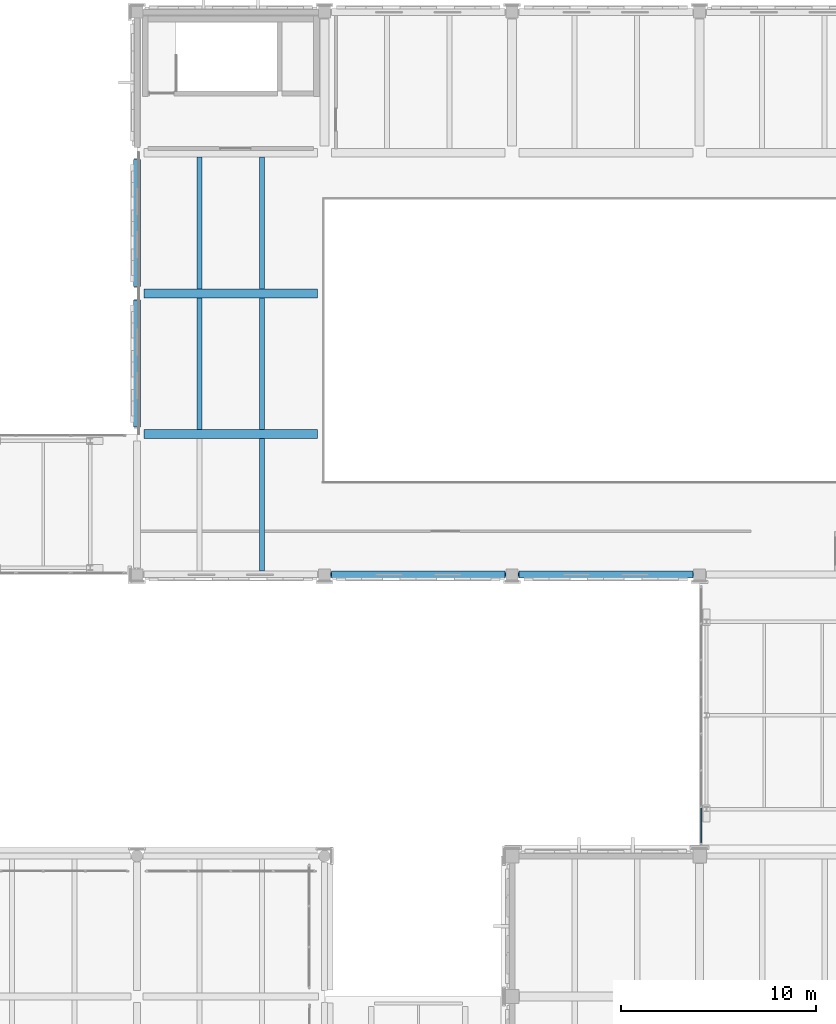
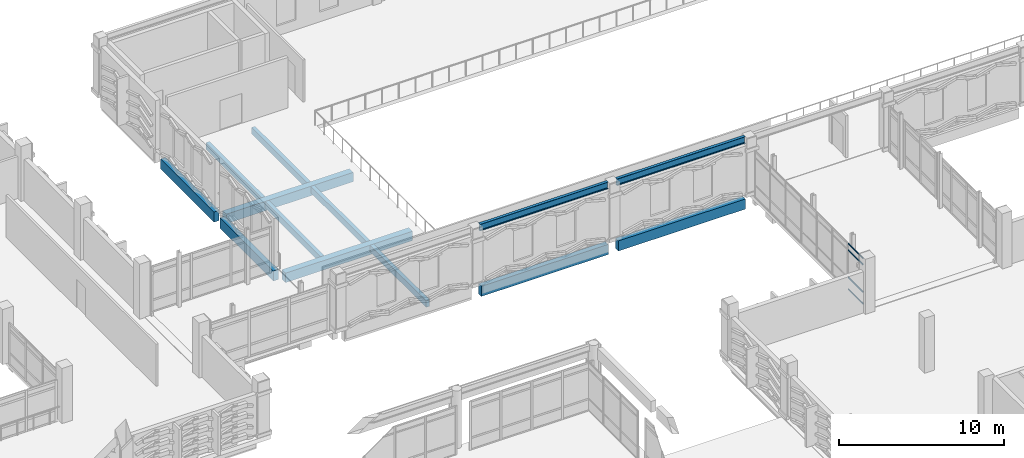
# One storey, part 110 of 180: 13 beams, 4 members, 1 element without a shape of its own.
"""IFC4 building model written with IfcOpenShell, lengths in metres."""

import ifcopenshell
import ifcopenshell.guid

model = None  # the IFC model being written
_history = None  # IfcOwnerHistory: only IFC2X3 demands one
_inside = {}  # id of a spatial element -> (the spatial element, [elements in it])
_under = {}  # id of a project, library or spatial element -> (it, [spatial elements below it])
_declared = {}  # id of a project -> (the project, [libraries it declares])
_typed = {}  # id of a type object -> (the type object, [elements of that type])
_made_of = {}  # id of a material, layer set ... -> (it, [elements and type objects made of it])


def new_model(schema):
    """Start an empty IFC model of exactly this schema.

    Asked for "IFC4X3", IfcOpenShell would pick the latest addendum, in which some entities
    have other attributes; the version numbers below select the first issue.
    IFC2X3 requires an IfcOwnerHistory on every rooted entity: one is made here for all.
    """
    global model, _history
    if schema == "IFC4X3":
        model = ifcopenshell.file(schema_version=(4, 3, 0, 0))
    else:
        model = ifcopenshell.file(schema=schema)
    _inside.clear()
    _under.clear()
    _declared.clear()
    _typed.clear()
    _made_of.clear()
    _history = None
    if model.schema == "IFC2X3":
        org = make("IfcOrganization", Name="unknown")
        user = make(
            "IfcPersonAndOrganization",
            ThePerson=make("IfcPerson", FamilyName="unknown"),
            TheOrganization=org,
        )
        app = make(
            "IfcApplication",
            ApplicationDeveloper=org,
            Version="unknown",
            ApplicationFullName="unknown",
            ApplicationIdentifier="unknown",
        )
        _history = make(
            "IfcOwnerHistory",
            OwningUser=user,
            OwningApplication=app,
            ChangeAction="ADDED",
            CreationDate=0,
        )
    return model


def make(cls, **values):
    """One entity of the class cls with the attributes given. An attribute that is None is left unset."""
    return model.create_entity(
        cls, **{name: value for name, value in values.items() if value is not None}
    )


def rooted(cls, **values):
    """An entity with a GlobalId (a new one), such as an element, a storey or a relation."""
    return make(cls, GlobalId=ifcopenshell.guid.new(), OwnerHistory=_history, **values)


def si_unit(unit_type, name, prefix=None):
    """IfcSIUnit, for example si_unit("LENGTHUNIT", "METRE", prefix="MILLI")."""
    return make("IfcSIUnit", UnitType=unit_type, Prefix=prefix, Name=name)


def assignment(units):
    """IfcUnitAssignment: the units of a project."""
    return None if units is None else make("IfcUnitAssignment", Units=units)


def point(xyz):
    """IfcCartesianPoint."""
    return None if xyz is None else make("IfcCartesianPoint", Coordinates=xyz)


def direction(xyz):
    """IfcDirection."""
    return None if xyz is None else make("IfcDirection", DirectionRatios=xyz)


def frame(location, z_axis=None, x_axis=None):
    """IfcAxis2Placement3D, a coordinate frame: its origin and axes. An axis left out is left unset."""
    return make(
        "IfcAxis2Placement3D",
        Location=point(location),
        Axis=direction(z_axis),
        RefDirection=direction(x_axis),
    )


def frame_2d(location, x_axis=None):
    """IfcAxis2Placement2D, a coordinate frame in the plane: its origin and x axis."""
    return make(
        "IfcAxis2Placement2D", Location=point(location), RefDirection=direction(x_axis)
    )


def origin():
    """The frame at (0, 0, 0) with its axes left unset."""
    return frame((0.0, 0.0, 0.0))


def origin_2d():
    """The frame at (0, 0) in the plane with its x axis left unset."""
    return frame_2d((0.0, 0.0))


def place(relative_to, where):
    """IfcLocalPlacement: puts the frame where relative to a parent placement (None: the world)."""
    return make(
        "IfcLocalPlacement", PlacementRelTo=relative_to, RelativePlacement=where
    )


def context(
    kind, dimensions, precision=None, world=None, true_north=None, identifier=None
):
    """IfcGeometricRepresentationContext, for example the 3D "Model" context."""
    return make(
        "IfcGeometricRepresentationContext",
        ContextIdentifier=identifier,
        ContextType=kind,
        CoordinateSpaceDimension=dimensions,
        Precision=precision,
        WorldCoordinateSystem=world,
        TrueNorth=true_north,
    )


def subcontext(parent, identifier, kind, view, scale=None):
    """IfcGeometricRepresentationSubContext, for example "Body" below "Model"."""
    return make(
        "IfcGeometricRepresentationSubContext",
        ContextIdentifier=identifier,
        ContextType=kind,
        ParentContext=parent,
        TargetScale=scale,
        TargetView=view,
    )


def project(units=None, contexts=None):
    """IfcProject with its units and contexts."""
    return rooted(
        "IfcProject",
        Name="project",
        RepresentationContexts=contexts,
        UnitsInContext=assignment(units),
    )


def spatial(cls, under=None, at=None, **own):
    """A site, building, storey or space (cls), placed at a placement, below another one or the project."""
    s = rooted(cls, ObjectPlacement=at, **own)
    if under is not None:
        _under.setdefault(under.id(), (under, []))[1].append(s)
    return s


def profile(cls, at=None, kind="AREA", **sizes):
    """A parametric profile (cls). Its sizes go by their IFC names, for example OverallWidth=200.0."""
    return make(cls, ProfileType=kind, Position=at, **sizes)


def rectangle(**sizes):
    """IfcRectangleProfileDef."""
    return profile("IfcRectangleProfileDef", **sizes)


def hollow_rectangle(**sizes):
    """IfcRectangleHollowProfileDef."""
    return profile("IfcRectangleHollowProfileDef", **sizes)


def i_section(**sizes):
    """IfcIShapeProfileDef."""
    return profile("IfcIShapeProfileDef", **sizes)


def extrude(swept, where, along, depth):
    """IfcExtrudedAreaSolid: the profile swept, set in the frame where, extruded along a direction by depth."""
    return make(
        "IfcExtrudedAreaSolid",
        SweptArea=swept,
        Position=where,
        ExtrudedDirection=direction(along),
        Depth=depth,
    )


def shape(context_of_items, identifier, shape_type, items):
    """IfcShapeRepresentation: the items that make up one representation, for example the "Body"."""
    return make(
        "IfcShapeRepresentation",
        ContextOfItems=context_of_items,
        RepresentationIdentifier=identifier,
        RepresentationType=shape_type,
        Items=items,
    )


def material(Name=None, Category=None):
    """IfcMaterial."""
    return make("IfcMaterial", Name=Name, Category=Category)


def layer(
    of_material, thickness, ventilated=None, Name=None, Category=None, Priority=None
):
    """IfcMaterialLayer: one layer of a wall or slab, of a material (None: an air gap)."""
    return make(
        "IfcMaterialLayer",
        Material=of_material,
        LayerThickness=thickness,
        IsVentilated=ventilated,
        Name=Name,
        Category=Category,
        Priority=Priority,
    )


def layer_set(layers, Name=None):
    """IfcMaterialLayerSet."""
    return make("IfcMaterialLayerSet", MaterialLayers=layers, LayerSetName=Name)


def material_profile(
    of_material, cross_section, Name=None, Category=None, Priority=None
):
    """IfcMaterialProfile: a cross section and its material."""
    return make(
        "IfcMaterialProfile",
        Name=Name,
        Material=of_material,
        Profile=cross_section,
        Priority=Priority,
        Category=Category,
    )


def profile_set(profiles, Name=None, composite=None):
    """IfcMaterialProfileSet."""
    return make(
        "IfcMaterialProfileSet",
        Name=Name,
        MaterialProfiles=profiles,
        CompositeProfile=composite,
    )


def made_of(thing, what):
    """Note that an element or type object is made of a material, layer set ...; save() writes the relation."""
    if what is not None:
        _made_of.setdefault(what.id(), (what, []))[1].append(thing)
    return thing


def type_object(cls, material=None, **own):
    """A type object (cls), such as IfcWallType, which elements share."""
    return made_of(rooted(cls, **own), material)


def element(
    cls,
    number,
    at=None,
    inside=None,
    cuts=None,
    type_object=None,
    material=None,
    context=None,
    identifier="Body",
    shape_type=None,
    held_by="IfcProductDefinitionShape",
    body=None,
    shapes=None,
    **own,
):
    """One element of the class cls, such as IfcWall. Its Tag is "e" and its number.

    at: its placement. inside: the storey or other place that contains it. cuts: it is an
    opening in that element (IfcRelVoidsElement). A single representation is given by context,
    identifier, shape_type and body (its items); several are given by shapes. held_by: the class
    of the entity that holds the representations. save() writes the other relations.
    """
    e = rooted(cls, Tag="e%d" % number, ObjectPlacement=at, **own)
    if body is not None:
        shapes = [shape(context, identifier, shape_type, body)]
    if shapes is not None:
        e.Representation = make(held_by, Representations=shapes)
    if inside is not None:
        _inside.setdefault(inside.id(), (inside, []))[1].append(e)
    if cuts is not None:
        rooted(
            "IfcRelVoidsElement", RelatingBuildingElement=cuts, RelatedOpeningElement=e
        )
    if type_object is not None:
        _typed.setdefault(type_object.id(), (type_object, []))[1].append(e)
    return made_of(e, material)


def aggregate(whole, parts):
    """IfcRelAggregates: a whole, such as a stair, and the parts it consists of."""
    return rooted("IfcRelAggregates", RelatingObject=whole, RelatedObjects=parts)


def save(model, path):
    """Write the relations noted so far, then the file.

    IfcRelAggregates (storeys below a building ...), IfcRelContainedInSpatialStructure (elements
    in a storey), IfcRelDefinesByType, IfcRelAssociatesMaterial and IfcRelDeclares: one each for
    every whole, place, type object, material and project.
    """
    for whole, parts in _under.values():
        aggregate(whole, parts)
    for where, things in _inside.values():
        rooted(
            "IfcRelContainedInSpatialStructure",
            RelatedElements=things,
            RelatingStructure=where,
        )
    for kind, things in _typed.values():
        rooted("IfcRelDefinesByType", RelatedObjects=things, RelatingType=kind)
    for what, things in _made_of.values():
        rooted("IfcRelAssociatesMaterial", RelatedObjects=things, RelatingMaterial=what)
    for by, libraries in _declared.values():
        rooted("IfcRelDeclares", RelatingContext=by, RelatedDefinitions=libraries)
    model.write(path)


model = new_model("IFC4")

# Units and contexts
model_context = context("Model", 3, precision=1e-05, world=origin(), true_north=direction((0.0, 1.0)))
body_context = subcontext(model_context, "Body", "Model", "MODEL_VIEW")
ifc_project = project(units=[si_unit("LENGTHUNIT", "METRE"), si_unit("AREAUNIT", "SQUARE_METRE"), si_unit("VOLUMEUNIT", "CUBIC_METRE"), si_unit("PLANEANGLEUNIT", "RADIAN"), si_unit("MASSUNIT", "GRAM", prefix="KILO")], contexts=[model_context])

# Site, building, storey
site_placement = place(None, origin())
site = spatial("IfcSite", under=ifc_project, at=site_placement, CompositionType="ELEMENT")
building_placement = place(site_placement, origin())
building = spatial("IfcBuilding", under=site, at=building_placement, Name="Asteropetra Specialist Clinic", CompositionType="ELEMENT")
storey_placement = place(building_placement, frame((0.0, 0.0, 4.419921875)))
storey = spatial("IfcBuildingStorey", under=building, at=storey_placement, Name="L01", CompositionType="ELEMENT", Elevation=4.419921875)

# Beams
ifc_material_1 = material(Name="Concrete C35/45", Category="concrete")
ifc_material_profile_1 = material_profile(ifc_material_1, rectangle(XDim=0.449951171875, YDim=0.699951171875, at=origin_2d()), Name="RCB 450x700")
ifc_profile_set_1 = profile_set([ifc_material_profile_1], Name="Concrete C35/45")
beam_type_1 = type_object("IfcBeamType", Name="BM-RC450x700", PredefinedType="BEAM", material=ifc_profile_set_1)
for number, where, z_axis, x_axis, name in (
    (1, (86.75, 84.0, -0.6298828125), (1.0, 0.0, 0.0), (0.0, 1.0, 0.0), "Beam BBM05-0572"),
    (2, (86.75, 91.199951171875, -0.6298828125), (1.0, 0.0, 0.0), (0.0, 1.0, 0.0), "Beam BBM05-0574"),
):
    element("IfcBeam", number, at=place(storey_placement, frame(where, z_axis=z_axis, x_axis=x_axis)), inside=storey, type_object=beam_type_1, Name=name, PredefinedType="BEAM", context=body_context, shape_type="SweptSolid", body=[
        extrude(rectangle(XDim=0.449951171875, YDim=0.699951171875, at=origin_2d()), origin(), (0.0, 0.0, 1.0), 8.89990234375),
    ])
ifc_material_2 = material(Name="Steel S355", Category="steel")
ifc_material_profile_2 = material_profile(ifc_material_2, i_section(OverallWidth=0.199951171875, OverallDepth=0.5, WebThickness=0.01025390625, FlangeThickness=0.01611328125, FilletRadius=0.02099609375, at=origin_2d()), Name="IPE 500")
ifc_profile_set_2 = profile_set([ifc_material_profile_2], Name="Steel S355")
beam_type_2 = type_object("IfcBeamType", Name="BM-STL-IPE500", PredefinedType="BEAM", material=ifc_profile_set_2)
for number, where, z_axis, x_axis, name in (
    (3, (96.300048828125, 76.800048828125, 4.030029296875), (1.0, 0.0, 0.0), (0.0, 1.0, 0.0), "Hall Eave Girder EG-96-76"),
    (4, (105.89990234375, 76.800048828125, 4.030029296875), (1.0, 0.0, 0.0), (0.0, 1.0, 0.0), "Hall Eave Girder EG-105-76"),
):
    element("IfcBeam", number, at=place(storey_placement, frame(where, z_axis=z_axis, x_axis=x_axis)), inside=storey, type_object=beam_type_2, Name=name, PredefinedType="BEAM", context=body_context, shape_type="SweptSolid", body=[
        extrude(i_section(OverallWidth=0.199951171875, OverallDepth=0.5, WebThickness=0.01025390625, FlangeThickness=0.01611328125, FilletRadius=0.02099609375, at=origin_2d()), origin(), (0.0, 0.0, 1.0), 9.0),
    ])

# Curtain wall, members
ifc_material_3 = material(Name="Aluminium and low-E glass", Category="aluminium")
ifc_layer = layer(ifc_material_3, 0.135009765625)
ifc_layer_set = layer_set([ifc_layer], Name="Aluminium and low-E glass")
curtain_wall_type = type_object("IfcCurtainWallType", Name="CW-SYS-12", PredefinedType="USERDEFINED", material=ifc_layer_set)
curtain_wall_placement = place(storey_placement, origin())
curtain_wall = element("IfcCurtainWall", 5, at=curtain_wall_placement, inside=storey, type_object=curtain_wall_type, Name="Curtain Wall CW-119", ObjectType="STICK GLAZED COLONNADE", PredefinedType="USERDEFINED")
ifc_material_4 = material(Name="Aluminium 6063-T6", Category="aluminium")
ifc_material_profile_3 = material_profile(ifc_material_4, hollow_rectangle(XDim=0.06005859375, YDim=0.10009765625, WallThickness=0.00341796875, InnerFilletRadius=0.00341796875, OuterFilletRadius=0.007080078125, at=origin_2d()), Name="TRN 100x60x3.5")
ifc_profile_set_3 = profile_set([ifc_material_profile_3], Name="Aluminium 6063-T6")
member_type = type_object("IfcMemberType", Name="CWT-100x60", PredefinedType="USERDEFINED", material=ifc_profile_set_3)
member_1_placement = place(storey_placement, frame((115.280029296875, 63.070068359375, 0.030029296875), z_axis=(0.0, 1.0, 0.0), x_axis=(-1.0, 0.0, 0.0)))
member_1 = element("IfcMember", 6, at=member_1_placement, type_object=member_type, Name="CW-119 transom 1.1", ObjectType="TRANSOM", PredefinedType="USERDEFINED", context=body_context, shape_type="SweptSolid", body=[
    extrude(hollow_rectangle(XDim=0.06005859375, YDim=0.10009765625, WallThickness=0.00341796875, InnerFilletRadius=0.00341796875, OuterFilletRadius=0.007080078125, at=origin_2d()), origin(), (0.0, 0.0, 1.0), 1.792724609375),
])
member_2_placement = place(storey_placement, frame((115.280029296875, 63.070068359375, 0.900146484375), z_axis=(0.0, 1.0, 0.0), x_axis=(-1.0, 0.0, 0.0)))
member_2 = element("IfcMember", 7, at=member_2_placement, type_object=member_type, Name="CW-119 transom 1.2", ObjectType="TRANSOM", PredefinedType="USERDEFINED", context=body_context, shape_type="SweptSolid", body=[
    extrude(hollow_rectangle(XDim=0.06005859375, YDim=0.10009765625, WallThickness=0.00341796875, InnerFilletRadius=0.00341796875, OuterFilletRadius=0.007080078125, at=origin_2d()), origin(), (0.0, 0.0, 1.0), 1.792724609375),
])
member_3_placement = place(storey_placement, frame((115.280029296875, 63.070068359375, 2.93017578125), z_axis=(0.0, 1.0, 0.0), x_axis=(-1.0, 0.0, 0.0)))
member_3 = element("IfcMember", 8, at=member_3_placement, type_object=member_type, Name="CW-119 transom 1.3", ObjectType="TRANSOM", PredefinedType="USERDEFINED", context=body_context, shape_type="SweptSolid", body=[
    extrude(hollow_rectangle(XDim=0.06005859375, YDim=0.10009765625, WallThickness=0.00341796875, InnerFilletRadius=0.00341796875, OuterFilletRadius=0.007080078125, at=origin_2d()), origin(), (0.0, 0.0, 1.0), 1.792724609375),
])
member_4_placement = place(storey_placement, frame((115.280029296875, 63.070068359375, 3.400146484375), z_axis=(0.0, 1.0, 0.0), x_axis=(-1.0, 0.0, 0.0)))
member_4 = element("IfcMember", 9, at=member_4_placement, type_object=member_type, Name="CW-119 transom 1.4", ObjectType="TRANSOM", PredefinedType="USERDEFINED", context=body_context, shape_type="SweptSolid", body=[
    extrude(hollow_rectangle(XDim=0.06005859375, YDim=0.10009765625, WallThickness=0.00341796875, InnerFilletRadius=0.00341796875, OuterFilletRadius=0.007080078125, at=origin_2d()), origin(), (0.0, 0.0, 1.0), 1.792724609375),
])
aggregate(curtain_wall, [member_1, member_2, member_3, member_4])

# Beams
ifc_material_5 = material(Name="Concrete C35/45", Category="concrete")
ifc_material_profile_4 = material_profile(ifc_material_5, rectangle(XDim=0.260009765625, YDim=0.47998046875, at=origin_2d()), Name="RCJ 260x480")
ifc_profile_set_4 = profile_set([ifc_material_profile_4], Name="Concrete C35/45")
beam_type_3 = type_object("IfcBeamType", Name="JST-RC260x480", PredefinedType="JOIST", material=ifc_profile_set_4)
beam_1_placement = place(storey_placement, frame((92.800048828125, 76.97509765625, -0.52001953125), z_axis=(0.0, 1.0, 0.0), x_axis=(-1.0, 0.0, 0.0)))
element("IfcBeam", 10, at=beam_1_placement, inside=storey, type_object=beam_type_3, Name="Joist JJST02-0593", PredefinedType="JOIST", context=body_context, shape_type="SweptSolid", body=[
    extrude(rectangle(XDim=0.260009765625, YDim=0.47998046875, at=origin_2d()), origin(), (0.0, 0.0, 1.0), 6.7998046875),
])
for number, where, z_axis, x_axis, name in (
    (11, (89.60009765625, 84.22509765625, -0.52001953125), (0.0, 1.0, 0.0), (-1.0, 0.0, 0.0), "Joist JJST02-0598"),
    (12, (92.800048828125, 84.22509765625, -0.52001953125), (0.0, 1.0, 0.0), (-1.0, 0.0, 0.0), "Joist JJST02-0599"),
    (13, (89.60009765625, 91.425048828125, -0.52001953125), (0.0, 1.0, 0.0), (-1.0, 0.0, 0.0), "Joist JJST02-0604"),
    (14, (92.800048828125, 91.425048828125, -0.52001953125), (0.0, 1.0, 0.0), (-1.0, 0.0, 0.0), "Joist JJST02-0605"),
):
    element("IfcBeam", number, at=place(storey_placement, frame(where, z_axis=z_axis, x_axis=x_axis)), inside=storey, type_object=beam_type_3, Name=name, PredefinedType="JOIST", context=body_context, shape_type="SweptSolid", body=[
        extrude(rectangle(XDim=0.260009765625, YDim=0.47998046875, at=origin_2d()), origin(), (0.0, 0.0, 1.0), 6.75),
    ])
ifc_material_6 = material(Name="Concrete C35/45", Category="concrete")
ifc_material_profile_5 = material_profile(ifc_material_6, rectangle(XDim=0.35009765625, YDim=0.75, at=origin_2d()), Name="RCS 350x750")
ifc_profile_set_5 = profile_set([ifc_material_profile_5], Name="Concrete C35/45")
beam_type_4 = type_object("IfcBeamType", Name="SPN-RC350x750", PredefinedType="SPANDREL", material=ifc_profile_set_5)
beam_2_placement = place(storey_placement, frame((96.35009765625, 76.800048828125, -0.655029296875), z_axis=(1.0, 0.0, 0.0), x_axis=(0.0, 1.0, 0.0)))
element("IfcBeam", 15, at=beam_2_placement, inside=storey, type_object=beam_type_4, Name="Beam BSPN01-0566", PredefinedType="SPANDREL", context=body_context, shape_type="SweptSolid", body=[
    extrude(rectangle(XDim=0.35009765625, YDim=0.75, at=origin_2d()), origin(), (0.0, 0.0, 1.0), 8.89990234375),
])
beam_3_placement = place(storey_placement, frame((105.949951171875, 76.800048828125, -0.655029296875), z_axis=(1.0, 0.0, 0.0), x_axis=(0.0, 1.0, 0.0)))
element("IfcBeam", 16, at=beam_3_placement, inside=storey, type_object=beam_type_4, Name="Beam BSPN01-0567", PredefinedType="SPANDREL", context=body_context, shape_type="SweptSolid", body=[
    extrude(rectangle(XDim=0.35009765625, YDim=0.75, at=origin_2d()), origin(), (0.0, 0.0, 1.0), 8.900146484375),
])
for number, where, z_axis, x_axis, name in (
    (17, (86.39990234375, 84.35009765625, -0.655029296875), (0.0, 1.0, 0.0), (-1.0, 0.0, 0.0), "Beam BSPN01-0596"),
    (18, (86.39990234375, 91.550048828125, -0.655029296875), (0.0, 1.0, 0.0), (-1.0, 0.0, 0.0), "Beam BSPN01-0602"),
):
    element("IfcBeam", number, at=place(storey_placement, frame(where, z_axis=z_axis, x_axis=x_axis)), inside=storey, type_object=beam_type_4, Name=name, PredefinedType="SPANDREL", context=body_context, shape_type="SweptSolid", body=[
        extrude(rectangle(XDim=0.35009765625, YDim=0.75, at=origin_2d()), origin(), (0.0, 0.0, 1.0), 6.5),
    ])

save(model, "model.ifc")
